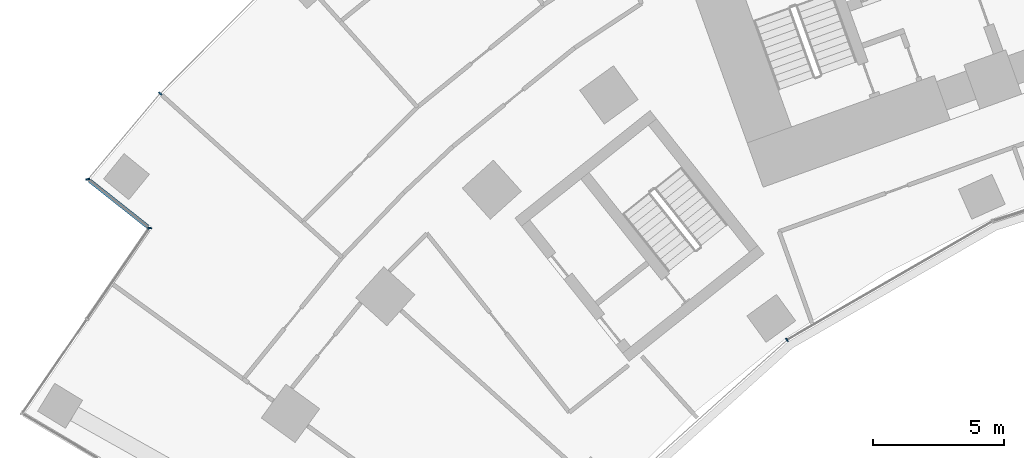
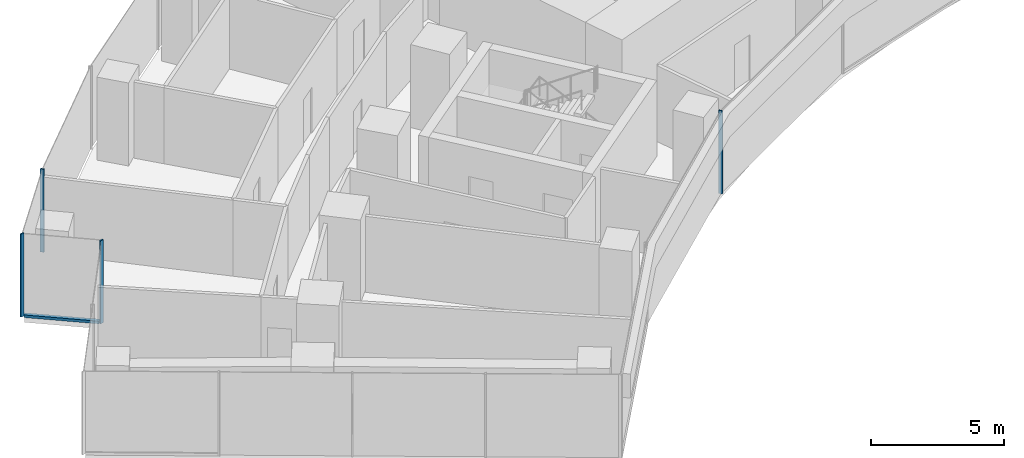
# One storey, part 3 of 21: 5 members, 4 elements without a shape of their own.
"""IFC4 building model written with IfcOpenShell, lengths in metres."""

from ifc_helpers import new_model, si_unit, direction, frame, origin, origin_2d, place, context, subcontext, project, spatial, rectangle, extrude, material, layer, layer_set, material_profile, profile_set, type_object, element, aggregate, save


model = new_model("IFC4")

# Units and contexts
model_context = context("Model", 3, precision=1e-05, world=origin(), true_north=direction((0.0, 1.0)))
body_context = subcontext(model_context, "Body", "Model", "MODEL_VIEW")
ifc_project = project(units=[si_unit("LENGTHUNIT", "METRE"), si_unit("AREAUNIT", "SQUARE_METRE"), si_unit("VOLUMEUNIT", "CUBIC_METRE"), si_unit("PLANEANGLEUNIT", "RADIAN"), si_unit("MASSUNIT", "GRAM", prefix="KILO")], contexts=[model_context])

# Site, building, storey
site_placement = place(None, origin())
site = spatial("IfcSite", under=ifc_project, at=site_placement, CompositionType="ELEMENT")
building_placement = place(site_placement, origin())
building = spatial("IfcBuilding", under=site, at=building_placement, Name="Stone Belt Terrace Tower", CompositionType="ELEMENT")
storey_placement = place(building_placement, frame((0.0, 0.0, 33.800048828125)))
storey = spatial("IfcBuildingStorey", under=building, at=storey_placement, Name="L07", CompositionType="ELEMENT", Elevation=33.800048828125)

# Curtain wall, member
ifc_material = material(Name="Aluminium 6063-T6 anodised frame", Category="aluminium")
ifc_layer_1 = layer(ifc_material, 0.14990234375)
ifc_layer_set_1 = layer_set([ifc_layer_1], Name="CW-A unitised convex-face curtain wall")
curtain_wall_type_1 = type_object("IfcCurtainWallType", Name="CW-A unitised convex-face curtain wall", PredefinedType="NOTDEFINED", material=ifc_layer_set_1)
curtain_wall_1_placement = place(storey_placement, origin())
curtain_wall_1 = element("IfcCurtainWall", 1, at=curtain_wall_1_placement, inside=storey, type_object=curtain_wall_type_1, Name="CW-A convex face L07", PredefinedType="NOTDEFINED")
ifc_material_profile_1 = material_profile(ifc_material, rectangle(XDim=0.14990234375, YDim=0.06005859375, at=origin_2d()), Name="Aluminium 6063-T6 60x150")
ifc_profile_set_1 = profile_set([ifc_material_profile_1], Name="Aluminium 6063-T6 anodised frame")
member_type_1 = type_object("IfcMemberType", Name="CW-A mullion 60 x 150", PredefinedType="MULLION", material=ifc_profile_set_1)
member_1_placement = place(storey_placement, frame((-49.474365234375, 44.548095703125, 0.0), z_axis=(0.0, 0.0, 1.0), x_axis=(0.73617076011, -0.676795842155, 0.0)))
member_1 = element("IfcMember", 2, at=member_1_placement, type_object=member_type_1, Name="CW-A mullion 18", PredefinedType="MULLION", context=body_context, shape_type="SweptSolid", body=[
    extrude(rectangle(XDim=0.14990234375, YDim=0.06005859375, at=origin_2d()), origin(), (0.0, 0.0, 1.0), 3.800048828125),
])
aggregate(curtain_wall_1, [member_1])

ifc_layer_2 = layer(ifc_material, 0.14990234375)
ifc_layer_set_2 = layer_set([ifc_layer_2], Name="CW-B unitised concave-face curtain wall")
curtain_wall_type_2 = type_object("IfcCurtainWallType", Name="CW-B unitised concave-face curtain wall", PredefinedType="NOTDEFINED", material=ifc_layer_set_2)
curtain_wall_2_placement = place(storey_placement, origin())
curtain_wall_2 = element("IfcCurtainWall", 3, at=curtain_wall_2_placement, inside=storey, type_object=curtain_wall_type_2, Name="CW-B concave face L07", PredefinedType="NOTDEFINED")
ifc_material_profile_2 = material_profile(ifc_material, rectangle(XDim=0.14990234375, YDim=0.050048828125, at=origin_2d()), Name="Aluminium 6063-T6 50x150")
ifc_profile_set_2 = profile_set([ifc_material_profile_2], Name="Aluminium 6063-T6 anodised frame")
member_type_2 = type_object("IfcMemberType", Name="CW-B mullion 50 x 150", PredefinedType="MULLION", material=ifc_profile_set_2)
member_2_placement = place(storey_placement, frame((-25.5244140625, 35.13134765625, 0.0), z_axis=(0.0, 0.0, 1.0), x_axis=(-0.587785252292, 0.809016994375, 0.0)))
member_2 = element("IfcMember", 4, at=member_2_placement, type_object=member_type_2, Name="CW-B mullion 3", PredefinedType="MULLION", context=body_context, shape_type="SweptSolid", body=[
    extrude(rectangle(XDim=0.14990234375, YDim=0.050048828125, at=origin_2d()), origin(), (0.0, 0.0, 1.0), 3.800048828125),
])
aggregate(curtain_wall_2, [member_2])

ifc_layer_3 = layer(ifc_material, 0.14990234375)
ifc_layer_set_3 = layer_set([ifc_layer_3], Name="CW-C stick curtain wall, horn ends and notches")
curtain_wall_type_3 = type_object("IfcCurtainWallType", Name="CW-C stick curtain wall, horn ends and notches", PredefinedType="NOTDEFINED", material=ifc_layer_set_3)
curtain_wall_3_placement = place(storey_placement, origin())
curtain_wall_3 = element("IfcCurtainWall", 5, at=curtain_wall_3_placement, inside=storey, type_object=curtain_wall_type_3, Name="CW-C notch face L07", PredefinedType="NOTDEFINED")
ifc_material_profile_3 = material_profile(ifc_material, rectangle(XDim=0.14990234375, YDim=0.06005859375, at=origin_2d()), Name="Aluminium 6063-T6 60x150")
ifc_profile_set_3 = profile_set([ifc_material_profile_3], Name="Aluminium 6063-T6 anodised frame")
member_type_3 = type_object("IfcMemberType", Name="CW-C mullion 60 x 150", PredefinedType="MULLION", material=ifc_profile_set_3)
member_3_placement = place(storey_placement, frame((-52.24072265625, 41.27294921875, 0.0), z_axis=(0.0, 0.0, 1.0), x_axis=(0.995023084308, 0.099644677203, 0.0)))
member_3 = element("IfcMember", 6, at=member_3_placement, type_object=member_type_3, Name="CW-C mullion 1", PredefinedType="MULLION", context=body_context, shape_type="SweptSolid", body=[
    extrude(rectangle(XDim=0.14990234375, YDim=0.06005859375, at=origin_2d()), origin(), (0.0, 0.0, 1.0), 3.800048828125),
])

curtain_wall_4_placement = place(storey_placement, origin())
curtain_wall_4 = element("IfcCurtainWall", 7, at=curtain_wall_4_placement, inside=storey, type_object=curtain_wall_type_3, Name="CW-C notch face L07", PredefinedType="NOTDEFINED")
member_4_placement = place(storey_placement, frame((-49.88330078125, 39.406005859375, 0.0), z_axis=(0.0, 0.0, 1.0), x_axis=(0.988851375203, 0.14890586879, 0.0)))
member_4 = element("IfcMember", 8, at=member_4_placement, type_object=member_type_3, Name="CW-C mullion 1", PredefinedType="MULLION", context=body_context, shape_type="SweptSolid", body=[
    extrude(rectangle(XDim=0.14990234375, YDim=0.06005859375, at=origin_2d()), origin(), (0.0, 0.0, 1.0), 3.800048828125),
])
aggregate(curtain_wall_4, [member_4])

# Member
ifc_material_profile_4 = material_profile(ifc_material, rectangle(XDim=0.14990234375, YDim=0.1201171875, at=origin_2d()), Name="Aluminium 6063-T6 150x120")
ifc_profile_set_4 = profile_set([ifc_material_profile_4], Name="Aluminium 6063-T6 anodised frame")
member_type_4 = type_object("IfcMemberType", Name="CW-C transom 120 x 150", PredefinedType="USERDEFINED", material=ifc_profile_set_4)
member_5_placement = place(storey_placement, frame((-52.18212890625, 41.2265625, 0.06005859375), z_axis=(0.783966177893, -0.620803537297, 0.0), x_axis=(0.620803537297, 0.783966177893, 0.0)))
member_5 = element("IfcMember", 9, at=member_5_placement, type_object=member_type_4, Name="CW-C transom 1.1", ObjectType="TRANSOM", PredefinedType="USERDEFINED", context=body_context, shape_type="SweptSolid", body=[
    extrude(rectangle(XDim=0.14990234375, YDim=0.1201171875, at=origin_2d()), origin(), (0.0, 0.0, 1.0), 2.859375),
])

aggregate(curtain_wall_3, [member_3, member_5])

save(model, "model.ifc")
